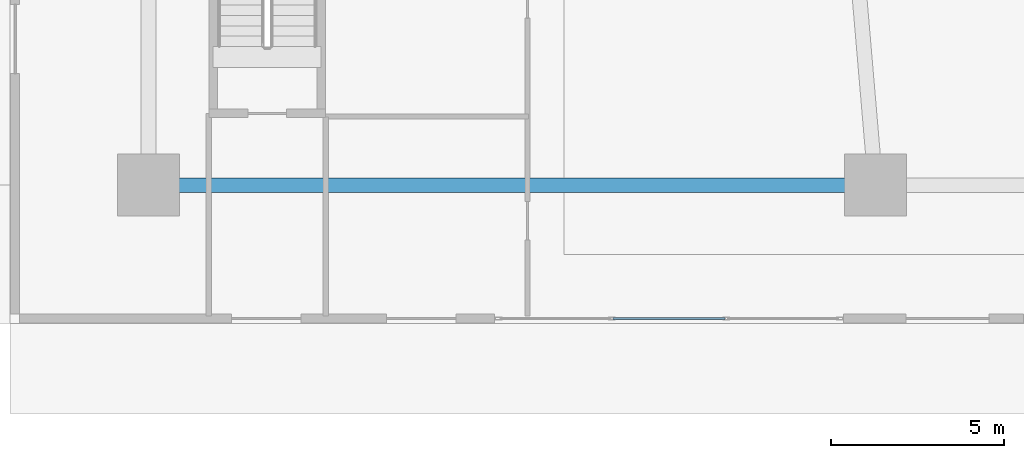
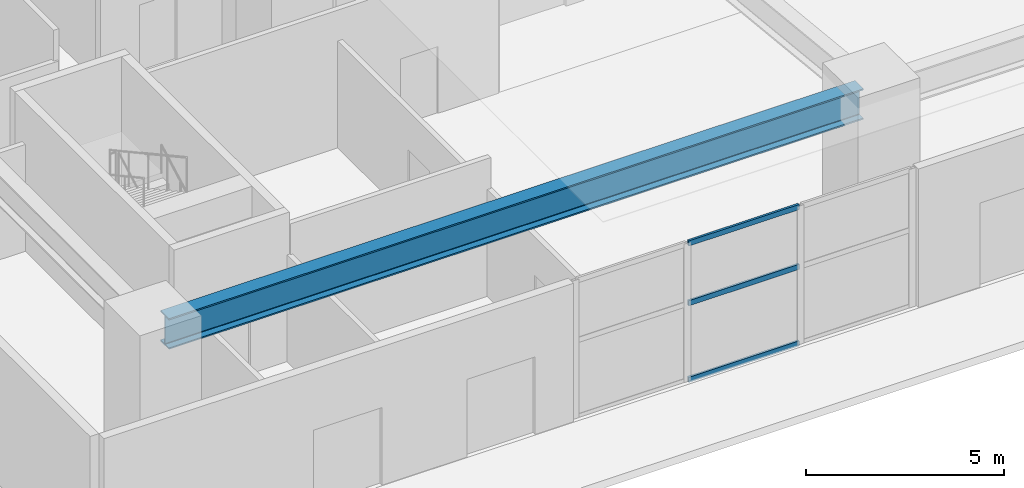
# One storey, part 3 of 18: 3 members, 1 beam, 1 element without a shape of its own.
"""IFC4 building model written with IfcOpenShell, lengths in metres."""

from ifc_helpers import new_model, si_unit, direction, frame, origin, origin_2d, place, context, subcontext, project, spatial, hollow_rectangle, i_section, extrude, material, layer, layer_set, material_profile, profile_set, type_object, element, aggregate, save


model = new_model("IFC4")

# Units and contexts
model_context = context("Model", 3, precision=1e-05, world=origin(), true_north=direction((0.0, 1.0)))
body_context = subcontext(model_context, "Body", "Model", "MODEL_VIEW")
ifc_project = project(units=[si_unit("LENGTHUNIT", "METRE"), si_unit("AREAUNIT", "SQUARE_METRE"), si_unit("VOLUMEUNIT", "CUBIC_METRE"), si_unit("PLANEANGLEUNIT", "RADIAN"), si_unit("MASSUNIT", "GRAM", prefix="KILO")], contexts=[model_context])

# Site, building, storey
site_placement = place(None, origin())
site = spatial("IfcSite", under=ifc_project, at=site_placement, CompositionType="ELEMENT")
building_placement = place(site_placement, origin())
building = spatial("IfcBuilding", under=site, at=building_placement, Name="Solvane Sanctuary Tower", CompositionType="ELEMENT")
storey_placement = place(building_placement, origin())
storey = spatial("IfcBuildingStorey", under=building, at=storey_placement, Name="L01", CompositionType="ELEMENT", Elevation=0.0)

# Beam
ifc_material_1 = material(Name="Steel ASTM A913 Grade 65", Category="steel")
ifc_material_profile_1 = material_profile(ifc_material_1, i_section(OverallWidth=0.423095703125, OverallDepth=0.947998046875, WebThickness=0.02392578125, FlangeThickness=0.042724609375, FilletRadius=0.02392578125, at=origin_2d()), Name="W36X302")
ifc_profile_set_1 = profile_set([ifc_material_profile_1], Name="Steel ASTM A913 Grade 65")
beam_type = type_object("IfcBeamType", Name="Beam B-POD-GIRD W36X302", PredefinedType="BEAM", material=ifc_profile_set_1)
beam_placement = place(storey_placement, frame((4.35009765625, 4.0, 3.803955078125), z_axis=(1.0, 0.0, 0.0), x_axis=(0.0, 1.0, 0.0)))
element("IfcBeam", 1, at=beam_placement, inside=storey, type_object=beam_type, Name="L01 Podium Primary Girder PG1", PredefinedType="BEAM", context=body_context, shape_type="SweptSolid", body=[
    extrude(i_section(OverallWidth=0.423095703125, OverallDepth=0.947998046875, WebThickness=0.02392578125, FlangeThickness=0.042724609375, FilletRadius=0.02392578125, at=origin_2d()), origin(), (0.0, 0.0, 1.0), 20.2998046875),
])

# Curtain wall, members
ifc_material_2 = material(Name="Anodised Aluminium 6063-T6", Category="aluminium")
ifc_layer = layer(ifc_material_2, 0.159912109375, Name="Anodised Aluminium 6063-T6")
ifc_layer_set = layer_set([ifc_layer], Name="Anodised Aluminium 6063-T6")
curtain_wall_type = type_object("IfcCurtainWallType", Name="Curtain Wall CW-POD", PredefinedType="NOTDEFINED", material=ifc_layer_set)
curtain_wall_placement = place(storey_placement, origin())
curtain_wall = element("IfcCurtainWall", 2, at=curtain_wall_placement, inside=storey, type_object=curtain_wall_type, Name="L01 Arrival Curtain Wall S2", PredefinedType="NOTDEFINED")
ifc_material_profile_2 = material_profile(ifc_material_2, hollow_rectangle(XDim=0.06494140625, YDim=0.159912109375, WallThickness=0.00341796875, at=origin_2d()), Name="ALU160X65X3.5")
ifc_profile_set_2 = profile_set([ifc_material_profile_2], Name="Anodised Aluminium 6063-T6")
member_type = type_object("IfcMemberType", Name="Member M-CW-TRN-1 ALU160X65X3.5", PredefinedType="USERDEFINED", material=ifc_profile_set_2)
member_1_placement = place(storey_placement, frame((17.424072265625, 0.14990234375, 0.032470703125), z_axis=(1.0, 0.0, 0.0), x_axis=(0.0, 1.0, 0.0)))
member_1 = element("IfcMember", 3, at=member_1_placement, type_object=member_type, Name="CW-POD transom 2.1", ObjectType="TRANSOM", PredefinedType="USERDEFINED", context=body_context, shape_type="SweptSolid", body=[
    extrude(hollow_rectangle(XDim=0.06494140625, YDim=0.159912109375, WallThickness=0.00341796875, at=origin_2d()), origin(), (0.0, 0.0, 1.0), 3.231689453125),
])
member_2_placement = place(storey_placement, frame((17.424072265625, 0.14990234375, 2.39990234375), z_axis=(1.0, 0.0, 0.0), x_axis=(0.0, 1.0, 0.0)))
member_2 = element("IfcMember", 4, at=member_2_placement, type_object=member_type, Name="CW-POD transom 2.2", ObjectType="TRANSOM", PredefinedType="USERDEFINED", context=body_context, shape_type="SweptSolid", body=[
    extrude(hollow_rectangle(XDim=0.06494140625, YDim=0.159912109375, WallThickness=0.00341796875, at=origin_2d()), origin(), (0.0, 0.0, 1.0), 3.231689453125),
])
member_3_placement = place(storey_placement, frame((17.424072265625, 0.14990234375, 4.24755859375), z_axis=(1.0, 0.0, 0.0), x_axis=(0.0, 1.0, 0.0)))
member_3 = element("IfcMember", 5, at=member_3_placement, type_object=member_type, Name="CW-POD transom 2.3", ObjectType="TRANSOM", PredefinedType="USERDEFINED", context=body_context, shape_type="SweptSolid", body=[
    extrude(hollow_rectangle(XDim=0.06494140625, YDim=0.159912109375, WallThickness=0.00341796875, at=origin_2d()), origin(), (0.0, 0.0, 1.0), 3.231689453125),
])
aggregate(curtain_wall, [member_1, member_2, member_3])

save(model, "model.ifc")
